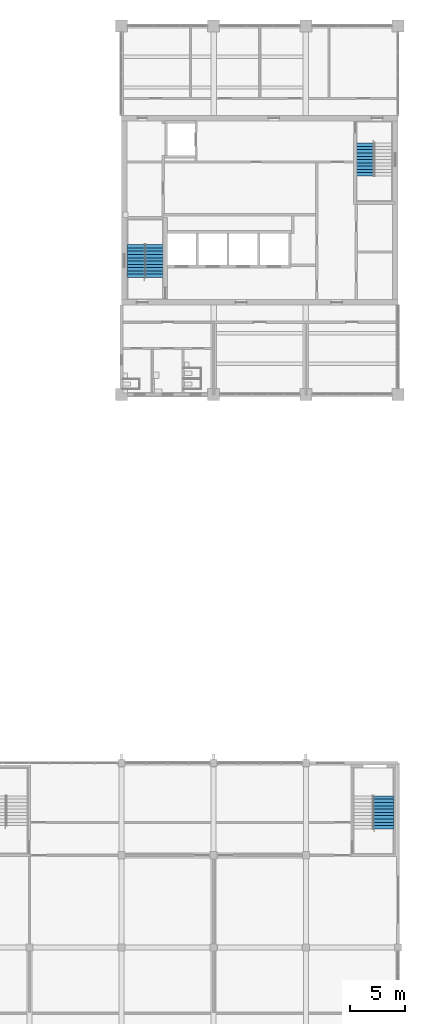
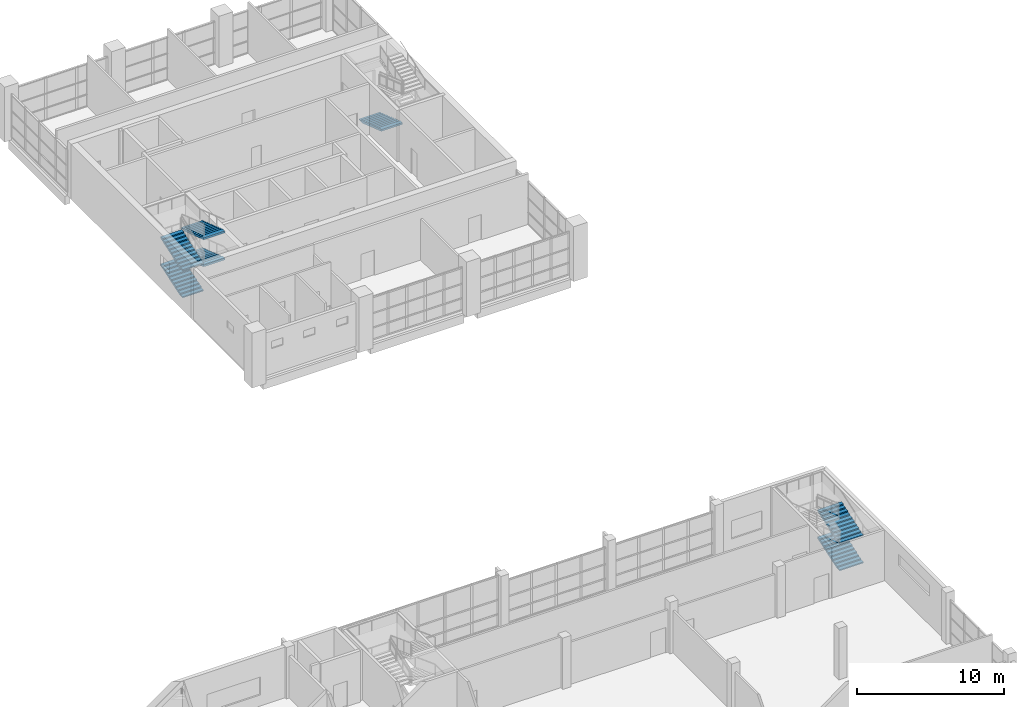
# One storey, part 49 of 64: 7 stair flights, 3 elements without a shape of their own.
"""IFC4 building model written with IfcOpenShell, lengths in metres."""

from ifc_helpers import new_model, si_unit, direction, frame, origin, place, context, subcontext, project, spatial, faceted_brep, material, type_object, element, aggregate, save


model = new_model("IFC4")

# Units and contexts
model_context = context("Model", 3, precision=1e-05, world=origin(), true_north=direction((0.0, 1.0)))
body_context = subcontext(model_context, "Body", "Model", "MODEL_VIEW")
ifc_project = project(units=[si_unit("LENGTHUNIT", "METRE"), si_unit("AREAUNIT", "SQUARE_METRE"), si_unit("VOLUMEUNIT", "CUBIC_METRE"), si_unit("PLANEANGLEUNIT", "RADIAN"), si_unit("MASSUNIT", "GRAM", prefix="KILO")], contexts=[model_context])

# Site, building, storey
site_placement = place(None, origin())
site = spatial("IfcSite", under=ifc_project, at=site_placement, CompositionType="ELEMENT")
building_placement = place(site_placement, origin())
building = spatial("IfcBuilding", under=site, at=building_placement, Name="Rulbaag Community and Learning Centre", CompositionType="ELEMENT")
storey_placement = place(building_placement, frame((0.0, 0.0, 5.39990234375)))
storey = spatial("IfcBuildingStorey", under=building, at=storey_placement, Name="L01", CompositionType="ELEMENT", Elevation=5.39990234375)

# Stair, stair flights
ifc_material = material(Name="Concrete M40", Category="concrete")
stair_type_1 = type_object("IfcStairType", Name="ST-1650 STAIR 1650 WIDE", PredefinedType="HALF_TURN_STAIR", material=ifc_material)
stair_1_placement = place(storey_placement, origin())
stair_1 = element("IfcStair", 1, at=stair_1_placement, inside=storey, type_object=stair_type_1, Name="Stair ST1 L01", PredefinedType="HALF_TURN_STAIR")
stair_flight_type_1 = type_object("IfcStairFlightType", Name="FL-1650 FLIGHT 1650 WIDE Concrete M40", PredefinedType="STRAIGHT", material=ifc_material)
stair_flight_1_placement = place(storey_placement, frame((144.125, 94.675048828125, 0.0), z_axis=(0.0, 0.0, 1.0), x_axis=(0.0, 1.0, 0.0)))
stair_flight_1 = element("IfcStairFlight", 2, at=stair_flight_1_placement, type_object=stair_flight_type_1, Name="ST1 flight 1", NumberOfRisers=11, NumberOfTreads=10, PredefinedType="STRAIGHT", RiserHeight=0.102272727, TreadLength=0.3, context=body_context, shape_type="Brep", body=[
    faceted_brep([(0.43359375, -0.824951171875, 0.0), (3.0, -0.824951171875, 0.875), (3.0, -0.824951171875, 1.022705078125), (2.699951171875, -0.824951171875, 1.022705078125), (2.699951171875, -0.824951171875, 0.92041015625), (2.39990234375, -0.824951171875, 0.92041015625), (2.39990234375, -0.824951171875, 0.818115234375), (2.10009765625, -0.824951171875, 0.818115234375), (2.10009765625, -0.824951171875, 0.7158203125), (1.800048828125, -0.824951171875, 0.7158203125), (1.800048828125, -0.824951171875, 0.613525390625), (1.5, -0.824951171875, 0.613525390625), (1.5, -0.824951171875, 0.511474609375), (1.199951171875, -0.824951171875, 0.511474609375), (1.199951171875, -0.824951171875, 0.4091796875), (0.89990234375, -0.824951171875, 0.4091796875), (0.89990234375, -0.824951171875, 0.306884765625), (0.60009765625, -0.824951171875, 0.306884765625), (0.60009765625, -0.824951171875, 0.20458984375), (0.300048828125, -0.824951171875, 0.20458984375), (0.300048828125, -0.824951171875, 0.102294921875), (0.0, -0.824951171875, 0.102294921875), (0.0, -0.824951171875, 0.0), (0.0, 0.824951171875, 0.0), (0.0, 0.824951171875, 0.102294921875), (0.300048828125, 0.824951171875, 0.102294921875), (0.300048828125, 0.824951171875, 0.20458984375), (0.60009765625, 0.824951171875, 0.20458984375), (0.60009765625, 0.824951171875, 0.306884765625), (0.89990234375, 0.824951171875, 0.306884765625), (0.89990234375, 0.824951171875, 0.4091796875), (1.199951171875, 0.824951171875, 0.4091796875), (1.199951171875, 0.824951171875, 0.511474609375), (1.5, 0.824951171875, 0.511474609375), (1.5, 0.824951171875, 0.613525390625), (1.800048828125, 0.824951171875, 0.613525390625), (1.800048828125, 0.824951171875, 0.7158203125), (2.10009765625, 0.824951171875, 0.7158203125), (2.10009765625, 0.824951171875, 0.818115234375), (2.39990234375, 0.824951171875, 0.818115234375), (2.39990234375, 0.824951171875, 0.92041015625), (2.699951171875, 0.824951171875, 0.92041015625), (2.699951171875, 0.824951171875, 1.022705078125), (3.0, 0.824951171875, 1.022705078125), (3.0, 0.824951171875, 0.875), (0.43359375, 0.824951171875, 0.0), (0.0, 0.0, 0.102294921875), (0.0, 0.0, 0.0), (0.300048828125, 0.0, 0.102294921875), (0.300048828125, 0.0, 0.20458984375), (0.60009765625, 0.0, 0.20458984375), (0.60009765625, 0.0, 0.306884765625), (0.89990234375, 0.0, 0.306884765625), (0.89990234375, 0.0, 0.4091796875), (1.199951171875, 0.0, 0.4091796875), (1.199951171875, 0.0, 0.511474609375), (1.5, 0.0, 0.511474609375), (1.5, 0.0, 0.613525390625), (1.800048828125, 0.0, 0.613525390625), (1.800048828125, 0.0, 0.7158203125), (2.10009765625, 0.0, 0.7158203125), (2.10009765625, 0.0, 0.818115234375), (2.39990234375, 0.0, 0.818115234375), (2.39990234375, 0.0, 0.92041015625), (2.699951171875, 0.0, 0.92041015625), (2.699951171875, 0.0, 1.022705078125), (3.0, 0.0, 1.022705078125), (3.0, 0.0, 0.875), (0.43359375, 0.0, 0.0)], [[[0, 1, 2, 3, 4, 5, 6, 7, 8, 9, 10, 11, 12, 13, 14, 15, 16, 17, 18, 19, 20, 21, 22]], [[23, 24, 25, 26, 27, 28, 29, 30, 31, 32, 33, 34, 35, 36, 37, 38, 39, 40, 41, 42, 43, 44, 45]], [[22, 21, 46, 47]], [[47, 46, 24, 23]], [[21, 20, 48, 46]], [[46, 48, 25, 24]], [[20, 19, 49, 48]], [[48, 49, 26, 25]], [[19, 18, 50, 49]], [[49, 50, 27, 26]], [[18, 17, 51, 50]], [[50, 51, 28, 27]], [[17, 16, 52, 51]], [[51, 52, 29, 28]], [[16, 15, 53, 52]], [[52, 53, 30, 29]], [[15, 14, 54, 53]], [[53, 54, 31, 30]], [[14, 13, 55, 54]], [[54, 55, 32, 31]], [[13, 12, 56, 55]], [[55, 56, 33, 32]], [[12, 11, 57, 56]], [[56, 57, 34, 33]], [[11, 10, 58, 57]], [[57, 58, 35, 34]], [[10, 9, 59, 58]], [[58, 59, 36, 35]], [[9, 8, 60, 59]], [[59, 60, 37, 36]], [[8, 7, 61, 60]], [[60, 61, 38, 37]], [[7, 6, 62, 61]], [[61, 62, 39, 38]], [[6, 5, 63, 62]], [[62, 63, 40, 39]], [[5, 4, 64, 63]], [[63, 64, 41, 40]], [[4, 3, 65, 64]], [[64, 65, 42, 41]], [[3, 2, 66, 65]], [[65, 66, 43, 42]], [[2, 1, 67, 66]], [[66, 67, 44, 43]], [[1, 0, 68, 67]], [[67, 68, 45, 44]], [[0, 22, 47, 68]], [[68, 47, 23, 45]]]),
])
stair_flight_2_placement = place(storey_placement, frame((145.77490234375, 97.675048828125, 1.125), z_axis=(0.0, 0.0, 1.0), x_axis=(0.0, -1.0, 0.0)))
stair_flight_2 = element("IfcStairFlight", 3, at=stair_flight_2_placement, type_object=stair_flight_type_1, Name="ST1 flight 2", NumberOfRisers=11, NumberOfTreads=10, PredefinedType="STRAIGHT", RiserHeight=0.102272727, TreadLength=0.3, context=body_context, shape_type="Brep", body=[
    faceted_brep([(0.43359375, -0.824951171875, 0.0), (3.0, -0.824951171875, 0.875), (3.0, -0.824951171875, 1.022705078125), (2.699951171875, -0.824951171875, 1.022705078125), (2.699951171875, -0.824951171875, 0.92041015625), (2.39990234375, -0.824951171875, 0.92041015625), (2.39990234375, -0.824951171875, 0.818115234375), (2.10009765625, -0.824951171875, 0.818115234375), (2.10009765625, -0.824951171875, 0.7158203125), (1.800048828125, -0.824951171875, 0.7158203125), (1.800048828125, -0.824951171875, 0.613525390625), (1.5, -0.824951171875, 0.613525390625), (1.5, -0.824951171875, 0.511474609375), (1.199951171875, -0.824951171875, 0.511474609375), (1.199951171875, -0.824951171875, 0.4091796875), (0.89990234375, -0.824951171875, 0.4091796875), (0.89990234375, -0.824951171875, 0.306884765625), (0.60009765625, -0.824951171875, 0.306884765625), (0.60009765625, -0.824951171875, 0.20458984375), (0.300048828125, -0.824951171875, 0.20458984375), (0.300048828125, -0.824951171875, 0.102294921875), (0.0, -0.824951171875, 0.102294921875), (0.0, -0.824951171875, 0.0), (0.0, 0.824951171875, 0.0), (0.0, 0.824951171875, 0.102294921875), (0.300048828125, 0.824951171875, 0.102294921875), (0.300048828125, 0.824951171875, 0.20458984375), (0.60009765625, 0.824951171875, 0.20458984375), (0.60009765625, 0.824951171875, 0.306884765625), (0.89990234375, 0.824951171875, 0.306884765625), (0.89990234375, 0.824951171875, 0.4091796875), (1.199951171875, 0.824951171875, 0.4091796875), (1.199951171875, 0.824951171875, 0.511474609375), (1.5, 0.824951171875, 0.511474609375), (1.5, 0.824951171875, 0.613525390625), (1.800048828125, 0.824951171875, 0.613525390625), (1.800048828125, 0.824951171875, 0.7158203125), (2.10009765625, 0.824951171875, 0.7158203125), (2.10009765625, 0.824951171875, 0.818115234375), (2.39990234375, 0.824951171875, 0.818115234375), (2.39990234375, 0.824951171875, 0.92041015625), (2.699951171875, 0.824951171875, 0.92041015625), (2.699951171875, 0.824951171875, 1.022705078125), (3.0, 0.824951171875, 1.022705078125), (3.0, 0.824951171875, 0.875), (0.43359375, 0.824951171875, 0.0), (0.0, 0.0, 0.102294921875), (0.0, 0.0, 0.0), (0.300048828125, 0.0, 0.102294921875), (0.300048828125, 0.0, 0.20458984375), (0.60009765625, 0.0, 0.20458984375), (0.60009765625, 0.0, 0.306884765625), (0.89990234375, 0.0, 0.306884765625), (0.89990234375, 0.0, 0.4091796875), (1.199951171875, 0.0, 0.4091796875), (1.199951171875, 0.0, 0.511474609375), (1.5, 0.0, 0.511474609375), (1.5, 0.0, 0.613525390625), (1.800048828125, 0.0, 0.613525390625), (1.800048828125, 0.0, 0.7158203125), (2.10009765625, 0.0, 0.7158203125), (2.10009765625, 0.0, 0.818115234375), (2.39990234375, 0.0, 0.818115234375), (2.39990234375, 0.0, 0.92041015625), (2.699951171875, 0.0, 0.92041015625), (2.699951171875, 0.0, 1.022705078125), (3.0, 0.0, 1.022705078125), (3.0, 0.0, 0.875), (0.43359375, 0.0, 0.0)], [[[0, 1, 2, 3, 4, 5, 6, 7, 8, 9, 10, 11, 12, 13, 14, 15, 16, 17, 18, 19, 20, 21, 22]], [[23, 24, 25, 26, 27, 28, 29, 30, 31, 32, 33, 34, 35, 36, 37, 38, 39, 40, 41, 42, 43, 44, 45]], [[22, 21, 46, 47]], [[47, 46, 24, 23]], [[21, 20, 48, 46]], [[46, 48, 25, 24]], [[20, 19, 49, 48]], [[48, 49, 26, 25]], [[19, 18, 50, 49]], [[49, 50, 27, 26]], [[18, 17, 51, 50]], [[50, 51, 28, 27]], [[17, 16, 52, 51]], [[51, 52, 29, 28]], [[16, 15, 53, 52]], [[52, 53, 30, 29]], [[15, 14, 54, 53]], [[53, 54, 31, 30]], [[14, 13, 55, 54]], [[54, 55, 32, 31]], [[13, 12, 56, 55]], [[55, 56, 33, 32]], [[12, 11, 57, 56]], [[56, 57, 34, 33]], [[11, 10, 58, 57]], [[57, 58, 35, 34]], [[10, 9, 59, 58]], [[58, 59, 36, 35]], [[9, 8, 60, 59]], [[59, 60, 37, 36]], [[8, 7, 61, 60]], [[60, 61, 38, 37]], [[7, 6, 62, 61]], [[61, 62, 39, 38]], [[6, 5, 63, 62]], [[62, 63, 40, 39]], [[5, 4, 64, 63]], [[63, 64, 41, 40]], [[4, 3, 65, 64]], [[64, 65, 42, 41]], [[3, 2, 66, 65]], [[65, 66, 43, 42]], [[2, 1, 67, 66]], [[66, 67, 44, 43]], [[1, 0, 68, 67]], [[67, 68, 45, 44]], [[0, 22, 47, 68]], [[68, 47, 23, 45]]]),
])
stair_flight_3_placement = place(storey_placement, frame((144.125, 94.675048828125, 2.25), z_axis=(0.0, 0.0, 1.0), x_axis=(0.0, 1.0, 0.0)))
stair_flight_3 = element("IfcStairFlight", 4, at=stair_flight_3_placement, type_object=stair_flight_type_1, Name="ST1 flight 3", NumberOfRisers=11, NumberOfTreads=10, PredefinedType="STRAIGHT", RiserHeight=0.102272727, TreadLength=0.3, context=body_context, shape_type="Brep", body=[
    faceted_brep([(0.43359375, -0.824951171875, 0.0), (3.0, -0.824951171875, 0.875), (3.0, -0.824951171875, 1.022705078125), (2.699951171875, -0.824951171875, 1.022705078125), (2.699951171875, -0.824951171875, 0.92041015625), (2.39990234375, -0.824951171875, 0.92041015625), (2.39990234375, -0.824951171875, 0.818115234375), (2.10009765625, -0.824951171875, 0.818115234375), (2.10009765625, -0.824951171875, 0.7158203125), (1.800048828125, -0.824951171875, 0.7158203125), (1.800048828125, -0.824951171875, 0.613525390625), (1.5, -0.824951171875, 0.613525390625), (1.5, -0.824951171875, 0.511474609375), (1.199951171875, -0.824951171875, 0.511474609375), (1.199951171875, -0.824951171875, 0.4091796875), (0.89990234375, -0.824951171875, 0.4091796875), (0.89990234375, -0.824951171875, 0.306884765625), (0.60009765625, -0.824951171875, 0.306884765625), (0.60009765625, -0.824951171875, 0.20458984375), (0.300048828125, -0.824951171875, 0.20458984375), (0.300048828125, -0.824951171875, 0.102294921875), (0.0, -0.824951171875, 0.102294921875), (0.0, -0.824951171875, 0.0), (0.0, 0.824951171875, 0.0), (0.0, 0.824951171875, 0.102294921875), (0.300048828125, 0.824951171875, 0.102294921875), (0.300048828125, 0.824951171875, 0.20458984375), (0.60009765625, 0.824951171875, 0.20458984375), (0.60009765625, 0.824951171875, 0.306884765625), (0.89990234375, 0.824951171875, 0.306884765625), (0.89990234375, 0.824951171875, 0.4091796875), (1.199951171875, 0.824951171875, 0.4091796875), (1.199951171875, 0.824951171875, 0.511474609375), (1.5, 0.824951171875, 0.511474609375), (1.5, 0.824951171875, 0.613525390625), (1.800048828125, 0.824951171875, 0.613525390625), (1.800048828125, 0.824951171875, 0.7158203125), (2.10009765625, 0.824951171875, 0.7158203125), (2.10009765625, 0.824951171875, 0.818115234375), (2.39990234375, 0.824951171875, 0.818115234375), (2.39990234375, 0.824951171875, 0.92041015625), (2.699951171875, 0.824951171875, 0.92041015625), (2.699951171875, 0.824951171875, 1.022705078125), (3.0, 0.824951171875, 1.022705078125), (3.0, 0.824951171875, 0.875), (0.43359375, 0.824951171875, 0.0), (0.0, 0.0, 0.102294921875), (0.0, 0.0, 0.0), (0.300048828125, 0.0, 0.102294921875), (0.300048828125, 0.0, 0.20458984375), (0.60009765625, 0.0, 0.20458984375), (0.60009765625, 0.0, 0.306884765625), (0.89990234375, 0.0, 0.306884765625), (0.89990234375, 0.0, 0.4091796875), (1.199951171875, 0.0, 0.4091796875), (1.199951171875, 0.0, 0.511474609375), (1.5, 0.0, 0.511474609375), (1.5, 0.0, 0.613525390625), (1.800048828125, 0.0, 0.613525390625), (1.800048828125, 0.0, 0.7158203125), (2.10009765625, 0.0, 0.7158203125), (2.10009765625, 0.0, 0.818115234375), (2.39990234375, 0.0, 0.818115234375), (2.39990234375, 0.0, 0.92041015625), (2.699951171875, 0.0, 0.92041015625), (2.699951171875, 0.0, 1.022705078125), (3.0, 0.0, 1.022705078125), (3.0, 0.0, 0.875), (0.43359375, 0.0, 0.0)], [[[0, 1, 2, 3, 4, 5, 6, 7, 8, 9, 10, 11, 12, 13, 14, 15, 16, 17, 18, 19, 20, 21, 22]], [[23, 24, 25, 26, 27, 28, 29, 30, 31, 32, 33, 34, 35, 36, 37, 38, 39, 40, 41, 42, 43, 44, 45]], [[22, 21, 46, 47]], [[47, 46, 24, 23]], [[21, 20, 48, 46]], [[46, 48, 25, 24]], [[20, 19, 49, 48]], [[48, 49, 26, 25]], [[19, 18, 50, 49]], [[49, 50, 27, 26]], [[18, 17, 51, 50]], [[50, 51, 28, 27]], [[17, 16, 52, 51]], [[51, 52, 29, 28]], [[16, 15, 53, 52]], [[52, 53, 30, 29]], [[15, 14, 54, 53]], [[53, 54, 31, 30]], [[14, 13, 55, 54]], [[54, 55, 32, 31]], [[13, 12, 56, 55]], [[55, 56, 33, 32]], [[12, 11, 57, 56]], [[56, 57, 34, 33]], [[11, 10, 58, 57]], [[57, 58, 35, 34]], [[10, 9, 59, 58]], [[58, 59, 36, 35]], [[9, 8, 60, 59]], [[59, 60, 37, 36]], [[8, 7, 61, 60]], [[60, 61, 38, 37]], [[7, 6, 62, 61]], [[61, 62, 39, 38]], [[6, 5, 63, 62]], [[62, 63, 40, 39]], [[5, 4, 64, 63]], [[63, 64, 41, 40]], [[4, 3, 65, 64]], [[64, 65, 42, 41]], [[3, 2, 66, 65]], [[65, 66, 43, 42]], [[2, 1, 67, 66]], [[66, 67, 44, 43]], [[1, 0, 68, 67]], [[67, 68, 45, 44]], [[0, 22, 47, 68]], [[68, 47, 23, 45]]]),
])
stair_flight_4_placement = place(storey_placement, frame((145.77490234375, 97.675048828125, 3.375), z_axis=(0.0, 0.0, 1.0), x_axis=(0.0, -1.0, 0.0)))
stair_flight_4 = element("IfcStairFlight", 5, at=stair_flight_4_placement, type_object=stair_flight_type_1, Name="ST1 flight 4", NumberOfRisers=11, NumberOfTreads=10, PredefinedType="STRAIGHT", RiserHeight=0.102272727, TreadLength=0.3, context=body_context, shape_type="Brep", body=[
    faceted_brep([(0.43359375, -0.824951171875, 0.0), (3.0, -0.824951171875, 0.875), (3.0, -0.824951171875, 1.022705078125), (2.699951171875, -0.824951171875, 1.022705078125), (2.699951171875, -0.824951171875, 0.92041015625), (2.39990234375, -0.824951171875, 0.92041015625), (2.39990234375, -0.824951171875, 0.818115234375), (2.10009765625, -0.824951171875, 0.818115234375), (2.10009765625, -0.824951171875, 0.7158203125), (1.800048828125, -0.824951171875, 0.7158203125), (1.800048828125, -0.824951171875, 0.613525390625), (1.5, -0.824951171875, 0.613525390625), (1.5, -0.824951171875, 0.511474609375), (1.199951171875, -0.824951171875, 0.511474609375), (1.199951171875, -0.824951171875, 0.4091796875), (0.89990234375, -0.824951171875, 0.4091796875), (0.89990234375, -0.824951171875, 0.306884765625), (0.60009765625, -0.824951171875, 0.306884765625), (0.60009765625, -0.824951171875, 0.20458984375), (0.300048828125, -0.824951171875, 0.20458984375), (0.300048828125, -0.824951171875, 0.102294921875), (0.0, -0.824951171875, 0.102294921875), (0.0, -0.824951171875, 0.0), (0.0, 0.824951171875, 0.0), (0.0, 0.824951171875, 0.102294921875), (0.300048828125, 0.824951171875, 0.102294921875), (0.300048828125, 0.824951171875, 0.20458984375), (0.60009765625, 0.824951171875, 0.20458984375), (0.60009765625, 0.824951171875, 0.306884765625), (0.89990234375, 0.824951171875, 0.306884765625), (0.89990234375, 0.824951171875, 0.4091796875), (1.199951171875, 0.824951171875, 0.4091796875), (1.199951171875, 0.824951171875, 0.511474609375), (1.5, 0.824951171875, 0.511474609375), (1.5, 0.824951171875, 0.613525390625), (1.800048828125, 0.824951171875, 0.613525390625), (1.800048828125, 0.824951171875, 0.7158203125), (2.10009765625, 0.824951171875, 0.7158203125), (2.10009765625, 0.824951171875, 0.818115234375), (2.39990234375, 0.824951171875, 0.818115234375), (2.39990234375, 0.824951171875, 0.92041015625), (2.699951171875, 0.824951171875, 0.92041015625), (2.699951171875, 0.824951171875, 1.022705078125), (3.0, 0.824951171875, 1.022705078125), (3.0, 0.824951171875, 0.875), (0.43359375, 0.824951171875, 0.0), (0.0, 0.0, 0.102294921875), (0.0, 0.0, 0.0), (0.300048828125, 0.0, 0.102294921875), (0.300048828125, 0.0, 0.20458984375), (0.60009765625, 0.0, 0.20458984375), (0.60009765625, 0.0, 0.306884765625), (0.89990234375, 0.0, 0.306884765625), (0.89990234375, 0.0, 0.4091796875), (1.199951171875, 0.0, 0.4091796875), (1.199951171875, 0.0, 0.511474609375), (1.5, 0.0, 0.511474609375), (1.5, 0.0, 0.613525390625), (1.800048828125, 0.0, 0.613525390625), (1.800048828125, 0.0, 0.7158203125), (2.10009765625, 0.0, 0.7158203125), (2.10009765625, 0.0, 0.818115234375), (2.39990234375, 0.0, 0.818115234375), (2.39990234375, 0.0, 0.92041015625), (2.699951171875, 0.0, 0.92041015625), (2.699951171875, 0.0, 1.022705078125), (3.0, 0.0, 1.022705078125), (3.0, 0.0, 0.875), (0.43359375, 0.0, 0.0)], [[[0, 1, 2, 3, 4, 5, 6, 7, 8, 9, 10, 11, 12, 13, 14, 15, 16, 17, 18, 19, 20, 21, 22]], [[23, 24, 25, 26, 27, 28, 29, 30, 31, 32, 33, 34, 35, 36, 37, 38, 39, 40, 41, 42, 43, 44, 45]], [[22, 21, 46, 47]], [[47, 46, 24, 23]], [[21, 20, 48, 46]], [[46, 48, 25, 24]], [[20, 19, 49, 48]], [[48, 49, 26, 25]], [[19, 18, 50, 49]], [[49, 50, 27, 26]], [[18, 17, 51, 50]], [[50, 51, 28, 27]], [[17, 16, 52, 51]], [[51, 52, 29, 28]], [[16, 15, 53, 52]], [[52, 53, 30, 29]], [[15, 14, 54, 53]], [[53, 54, 31, 30]], [[14, 13, 55, 54]], [[54, 55, 32, 31]], [[13, 12, 56, 55]], [[55, 56, 33, 32]], [[12, 11, 57, 56]], [[56, 57, 34, 33]], [[11, 10, 58, 57]], [[57, 58, 35, 34]], [[10, 9, 59, 58]], [[58, 59, 36, 35]], [[9, 8, 60, 59]], [[59, 60, 37, 36]], [[8, 7, 61, 60]], [[60, 61, 38, 37]], [[7, 6, 62, 61]], [[61, 62, 39, 38]], [[6, 5, 63, 62]], [[62, 63, 40, 39]], [[5, 4, 64, 63]], [[63, 64, 41, 40]], [[4, 3, 65, 64]], [[64, 65, 42, 41]], [[3, 2, 66, 65]], [[65, 66, 43, 42]], [[2, 1, 67, 66]], [[66, 67, 44, 43]], [[1, 0, 68, 67]], [[67, 68, 45, 44]], [[0, 22, 47, 68]], [[68, 47, 23, 45]]]),
])
aggregate(stair_1, [stair_flight_1, stair_flight_2, stair_flight_3, stair_flight_4])

# Stair, stair flight
stair_2_placement = place(storey_placement, origin())
stair_2 = element("IfcStair", 6, at=stair_2_placement, inside=storey, type_object=stair_type_1, Name="Stair ST2 L01", PredefinedType="HALF_TURN_STAIR")
stair_flight_5_placement = place(storey_placement, frame((165.02490234375, 106.925048828125, 0.0), z_axis=(0.0, 0.0, 1.0), x_axis=(0.0, -1.0, 0.0)))
stair_flight_5 = element("IfcStairFlight", 7, at=stair_flight_5_placement, type_object=stair_flight_type_1, Name="ST2 flight 1", NumberOfRisers=11, NumberOfTreads=10, PredefinedType="STRAIGHT", RiserHeight=0.102272727, TreadLength=0.3, context=body_context, shape_type="Brep", body=[
    faceted_brep([(0.43359375, -0.824951171875, 0.0), (3.0, -0.824951171875, 0.875), (3.0, -0.824951171875, 1.022705078125), (2.699951171875, -0.824951171875, 1.022705078125), (2.699951171875, -0.824951171875, 0.92041015625), (2.39990234375, -0.824951171875, 0.92041015625), (2.39990234375, -0.824951171875, 0.818115234375), (2.10009765625, -0.824951171875, 0.818115234375), (2.10009765625, -0.824951171875, 0.7158203125), (1.800048828125, -0.824951171875, 0.7158203125), (1.800048828125, -0.824951171875, 0.613525390625), (1.5, -0.824951171875, 0.613525390625), (1.5, -0.824951171875, 0.511474609375), (1.199951171875, -0.824951171875, 0.511474609375), (1.199951171875, -0.824951171875, 0.4091796875), (0.89990234375, -0.824951171875, 0.4091796875), (0.89990234375, -0.824951171875, 0.306884765625), (0.60009765625, -0.824951171875, 0.306884765625), (0.60009765625, -0.824951171875, 0.20458984375), (0.300048828125, -0.824951171875, 0.20458984375), (0.300048828125, -0.824951171875, 0.102294921875), (0.0, -0.824951171875, 0.102294921875), (0.0, -0.824951171875, 0.0), (0.0, 0.824951171875, 0.0), (0.0, 0.824951171875, 0.102294921875), (0.300048828125, 0.824951171875, 0.102294921875), (0.300048828125, 0.824951171875, 0.20458984375), (0.60009765625, 0.824951171875, 0.20458984375), (0.60009765625, 0.824951171875, 0.306884765625), (0.89990234375, 0.824951171875, 0.306884765625), (0.89990234375, 0.824951171875, 0.4091796875), (1.199951171875, 0.824951171875, 0.4091796875), (1.199951171875, 0.824951171875, 0.511474609375), (1.5, 0.824951171875, 0.511474609375), (1.5, 0.824951171875, 0.613525390625), (1.800048828125, 0.824951171875, 0.613525390625), (1.800048828125, 0.824951171875, 0.7158203125), (2.10009765625, 0.824951171875, 0.7158203125), (2.10009765625, 0.824951171875, 0.818115234375), (2.39990234375, 0.824951171875, 0.818115234375), (2.39990234375, 0.824951171875, 0.92041015625), (2.699951171875, 0.824951171875, 0.92041015625), (2.699951171875, 0.824951171875, 1.022705078125), (3.0, 0.824951171875, 1.022705078125), (3.0, 0.824951171875, 0.875), (0.43359375, 0.824951171875, 0.0), (0.0, 0.0, 0.102294921875), (0.0, 0.0, 0.0), (0.300048828125, 0.0, 0.102294921875), (0.300048828125, 0.0, 0.20458984375), (0.60009765625, 0.0, 0.20458984375), (0.60009765625, 0.0, 0.306884765625), (0.89990234375, 0.0, 0.306884765625), (0.89990234375, 0.0, 0.4091796875), (1.199951171875, 0.0, 0.4091796875), (1.199951171875, 0.0, 0.511474609375), (1.5, 0.0, 0.511474609375), (1.5, 0.0, 0.613525390625), (1.800048828125, 0.0, 0.613525390625), (1.800048828125, 0.0, 0.7158203125), (2.10009765625, 0.0, 0.7158203125), (2.10009765625, 0.0, 0.818115234375), (2.39990234375, 0.0, 0.818115234375), (2.39990234375, 0.0, 0.92041015625), (2.699951171875, 0.0, 0.92041015625), (2.699951171875, 0.0, 1.022705078125), (3.0, 0.0, 1.022705078125), (3.0, 0.0, 0.875), (0.43359375, 0.0, 0.0)], [[[0, 1, 2, 3, 4, 5, 6, 7, 8, 9, 10, 11, 12, 13, 14, 15, 16, 17, 18, 19, 20, 21, 22]], [[23, 24, 25, 26, 27, 28, 29, 30, 31, 32, 33, 34, 35, 36, 37, 38, 39, 40, 41, 42, 43, 44, 45]], [[22, 21, 46, 47]], [[47, 46, 24, 23]], [[21, 20, 48, 46]], [[46, 48, 25, 24]], [[20, 19, 49, 48]], [[48, 49, 26, 25]], [[19, 18, 50, 49]], [[49, 50, 27, 26]], [[18, 17, 51, 50]], [[50, 51, 28, 27]], [[17, 16, 52, 51]], [[51, 52, 29, 28]], [[16, 15, 53, 52]], [[52, 53, 30, 29]], [[15, 14, 54, 53]], [[53, 54, 31, 30]], [[14, 13, 55, 54]], [[54, 55, 32, 31]], [[13, 12, 56, 55]], [[55, 56, 33, 32]], [[12, 11, 57, 56]], [[56, 57, 34, 33]], [[11, 10, 58, 57]], [[57, 58, 35, 34]], [[10, 9, 59, 58]], [[58, 59, 36, 35]], [[9, 8, 60, 59]], [[59, 60, 37, 36]], [[8, 7, 61, 60]], [[60, 61, 38, 37]], [[7, 6, 62, 61]], [[61, 62, 39, 38]], [[6, 5, 63, 62]], [[62, 63, 40, 39]], [[5, 4, 64, 63]], [[63, 64, 41, 40]], [[4, 3, 65, 64]], [[64, 65, 42, 41]], [[3, 2, 66, 65]], [[65, 66, 43, 42]], [[2, 1, 67, 66]], [[66, 67, 44, 43]], [[1, 0, 68, 67]], [[67, 68, 45, 44]], [[0, 22, 47, 68]], [[68, 47, 23, 45]]]),
])
aggregate(stair_2, [stair_flight_5])

# Stair, stair flights
stair_type_2 = type_object("IfcStairType", Name="ST-1862 STAIR 1862 WIDE", PredefinedType="HALF_TURN_STAIR", material=ifc_material)
stair_3_placement = place(storey_placement, origin())
stair_3 = element("IfcStair", 8, at=stair_3_placement, inside=storey, type_object=stair_type_2, Name="Stair ST-H4 L01", PredefinedType="HALF_TURN_STAIR")
stair_flight_type_2 = type_object("IfcStairFlightType", Name="FL-1862 FLIGHT 1862 WIDE Concrete M40", PredefinedType="STRAIGHT", material=ifc_material)
stair_flight_6_placement = place(storey_placement, frame((166.693603515625, 44.41259765625, 0.0), z_axis=(0.0, 0.0, 1.0), x_axis=(0.0, 1.0, 0.0)))
stair_flight_6 = element("IfcStairFlight", 9, at=stair_flight_6_placement, type_object=stair_flight_type_2, Name="ST-H4 flight 1", NumberOfRisers=11, NumberOfTreads=10, PredefinedType="STRAIGHT", RiserHeight=0.102272727, TreadLength=0.3, context=body_context, shape_type="Brep", body=[
    faceted_brep([(0.43359375, -0.93115234375, 0.0), (3.0, -0.93115234375, 0.875), (3.0, -0.93115234375, 1.022705078125), (2.699951171875, -0.93115234375, 1.022705078125), (2.699951171875, -0.93115234375, 0.92041015625), (2.39990234375, -0.93115234375, 0.92041015625), (2.39990234375, -0.93115234375, 0.818115234375), (2.10009765625, -0.93115234375, 0.818115234375), (2.10009765625, -0.93115234375, 0.7158203125), (1.800048828125, -0.93115234375, 0.7158203125), (1.800048828125, -0.93115234375, 0.613525390625), (1.5, -0.93115234375, 0.613525390625), (1.5, -0.93115234375, 0.511474609375), (1.199951171875, -0.93115234375, 0.511474609375), (1.199951171875, -0.93115234375, 0.4091796875), (0.89990234375, -0.93115234375, 0.4091796875), (0.89990234375, -0.93115234375, 0.306884765625), (0.60009765625, -0.93115234375, 0.306884765625), (0.60009765625, -0.93115234375, 0.20458984375), (0.300048828125, -0.93115234375, 0.20458984375), (0.300048828125, -0.93115234375, 0.102294921875), (0.0, -0.93115234375, 0.102294921875), (0.0, -0.93115234375, 0.0), (0.0, 0.93115234375, 0.0), (0.0, 0.93115234375, 0.102294921875), (0.300048828125, 0.93115234375, 0.102294921875), (0.300048828125, 0.93115234375, 0.20458984375), (0.60009765625, 0.93115234375, 0.20458984375), (0.60009765625, 0.93115234375, 0.306884765625), (0.89990234375, 0.93115234375, 0.306884765625), (0.89990234375, 0.93115234375, 0.4091796875), (1.199951171875, 0.93115234375, 0.4091796875), (1.199951171875, 0.93115234375, 0.511474609375), (1.5, 0.93115234375, 0.511474609375), (1.5, 0.93115234375, 0.613525390625), (1.800048828125, 0.93115234375, 0.613525390625), (1.800048828125, 0.93115234375, 0.7158203125), (2.10009765625, 0.93115234375, 0.7158203125), (2.10009765625, 0.93115234375, 0.818115234375), (2.39990234375, 0.93115234375, 0.818115234375), (2.39990234375, 0.93115234375, 0.92041015625), (2.699951171875, 0.93115234375, 0.92041015625), (2.699951171875, 0.93115234375, 1.022705078125), (3.0, 0.93115234375, 1.022705078125), (3.0, 0.93115234375, 0.875), (0.43359375, 0.93115234375, 0.0), (0.0, 0.0, 0.102294921875), (0.0, 0.0, 0.0), (0.300048828125, 0.0, 0.102294921875), (0.300048828125, 0.0, 0.20458984375), (0.60009765625, 0.0, 0.20458984375), (0.60009765625, 0.0, 0.306884765625), (0.89990234375, 0.0, 0.306884765625), (0.89990234375, 0.0, 0.4091796875), (1.199951171875, 0.0, 0.4091796875), (1.199951171875, 0.0, 0.511474609375), (1.5, 0.0, 0.511474609375), (1.5, 0.0, 0.613525390625), (1.800048828125, 0.0, 0.613525390625), (1.800048828125, 0.0, 0.7158203125), (2.10009765625, 0.0, 0.7158203125), (2.10009765625, 0.0, 0.818115234375), (2.39990234375, 0.0, 0.818115234375), (2.39990234375, 0.0, 0.92041015625), (2.699951171875, 0.0, 0.92041015625), (2.699951171875, 0.0, 1.022705078125), (3.0, 0.0, 1.022705078125), (3.0, 0.0, 0.875), (0.43359375, 0.0, 0.0)], [[[0, 1, 2, 3, 4, 5, 6, 7, 8, 9, 10, 11, 12, 13, 14, 15, 16, 17, 18, 19, 20, 21, 22]], [[23, 24, 25, 26, 27, 28, 29, 30, 31, 32, 33, 34, 35, 36, 37, 38, 39, 40, 41, 42, 43, 44, 45]], [[22, 21, 46, 47]], [[47, 46, 24, 23]], [[21, 20, 48, 46]], [[46, 48, 25, 24]], [[20, 19, 49, 48]], [[48, 49, 26, 25]], [[19, 18, 50, 49]], [[49, 50, 27, 26]], [[18, 17, 51, 50]], [[50, 51, 28, 27]], [[17, 16, 52, 51]], [[51, 52, 29, 28]], [[16, 15, 53, 52]], [[52, 53, 30, 29]], [[15, 14, 54, 53]], [[53, 54, 31, 30]], [[14, 13, 55, 54]], [[54, 55, 32, 31]], [[13, 12, 56, 55]], [[55, 56, 33, 32]], [[12, 11, 57, 56]], [[56, 57, 34, 33]], [[11, 10, 58, 57]], [[57, 58, 35, 34]], [[10, 9, 59, 58]], [[58, 59, 36, 35]], [[9, 8, 60, 59]], [[59, 60, 37, 36]], [[8, 7, 61, 60]], [[60, 61, 38, 37]], [[7, 6, 62, 61]], [[61, 62, 39, 38]], [[6, 5, 63, 62]], [[62, 63, 40, 39]], [[5, 4, 64, 63]], [[63, 64, 41, 40]], [[4, 3, 65, 64]], [[64, 65, 42, 41]], [[3, 2, 66, 65]], [[65, 66, 43, 42]], [[2, 1, 67, 66]], [[66, 67, 44, 43]], [[1, 0, 68, 67]], [[67, 68, 45, 44]], [[0, 22, 47, 68]], [[68, 47, 23, 45]]]),
])
stair_flight_7_placement = place(storey_placement, frame((166.693603515625, 44.41259765625, 2.25), z_axis=(0.0, 0.0, 1.0), x_axis=(0.0, 1.0, 0.0)))
stair_flight_7 = element("IfcStairFlight", 10, at=stair_flight_7_placement, type_object=stair_flight_type_2, Name="ST-H4 flight 3", NumberOfRisers=11, NumberOfTreads=10, PredefinedType="STRAIGHT", RiserHeight=0.102272727, TreadLength=0.3, context=body_context, shape_type="Brep", body=[
    faceted_brep([(0.43359375, -0.93115234375, 0.0), (3.0, -0.93115234375, 0.875), (3.0, -0.93115234375, 1.022705078125), (2.699951171875, -0.93115234375, 1.022705078125), (2.699951171875, -0.93115234375, 0.92041015625), (2.39990234375, -0.93115234375, 0.92041015625), (2.39990234375, -0.93115234375, 0.818115234375), (2.10009765625, -0.93115234375, 0.818115234375), (2.10009765625, -0.93115234375, 0.7158203125), (1.800048828125, -0.93115234375, 0.7158203125), (1.800048828125, -0.93115234375, 0.613525390625), (1.5, -0.93115234375, 0.613525390625), (1.5, -0.93115234375, 0.511474609375), (1.199951171875, -0.93115234375, 0.511474609375), (1.199951171875, -0.93115234375, 0.4091796875), (0.89990234375, -0.93115234375, 0.4091796875), (0.89990234375, -0.93115234375, 0.306884765625), (0.60009765625, -0.93115234375, 0.306884765625), (0.60009765625, -0.93115234375, 0.20458984375), (0.300048828125, -0.93115234375, 0.20458984375), (0.300048828125, -0.93115234375, 0.102294921875), (0.0, -0.93115234375, 0.102294921875), (0.0, -0.93115234375, 0.0), (0.0, 0.93115234375, 0.0), (0.0, 0.93115234375, 0.102294921875), (0.300048828125, 0.93115234375, 0.102294921875), (0.300048828125, 0.93115234375, 0.20458984375), (0.60009765625, 0.93115234375, 0.20458984375), (0.60009765625, 0.93115234375, 0.306884765625), (0.89990234375, 0.93115234375, 0.306884765625), (0.89990234375, 0.93115234375, 0.4091796875), (1.199951171875, 0.93115234375, 0.4091796875), (1.199951171875, 0.93115234375, 0.511474609375), (1.5, 0.93115234375, 0.511474609375), (1.5, 0.93115234375, 0.613525390625), (1.800048828125, 0.93115234375, 0.613525390625), (1.800048828125, 0.93115234375, 0.7158203125), (2.10009765625, 0.93115234375, 0.7158203125), (2.10009765625, 0.93115234375, 0.818115234375), (2.39990234375, 0.93115234375, 0.818115234375), (2.39990234375, 0.93115234375, 0.92041015625), (2.699951171875, 0.93115234375, 0.92041015625), (2.699951171875, 0.93115234375, 1.022705078125), (3.0, 0.93115234375, 1.022705078125), (3.0, 0.93115234375, 0.875), (0.43359375, 0.93115234375, 0.0), (0.0, 0.0, 0.102294921875), (0.0, 0.0, 0.0), (0.300048828125, 0.0, 0.102294921875), (0.300048828125, 0.0, 0.20458984375), (0.60009765625, 0.0, 0.20458984375), (0.60009765625, 0.0, 0.306884765625), (0.89990234375, 0.0, 0.306884765625), (0.89990234375, 0.0, 0.4091796875), (1.199951171875, 0.0, 0.4091796875), (1.199951171875, 0.0, 0.511474609375), (1.5, 0.0, 0.511474609375), (1.5, 0.0, 0.613525390625), (1.800048828125, 0.0, 0.613525390625), (1.800048828125, 0.0, 0.7158203125), (2.10009765625, 0.0, 0.7158203125), (2.10009765625, 0.0, 0.818115234375), (2.39990234375, 0.0, 0.818115234375), (2.39990234375, 0.0, 0.92041015625), (2.699951171875, 0.0, 0.92041015625), (2.699951171875, 0.0, 1.022705078125), (3.0, 0.0, 1.022705078125), (3.0, 0.0, 0.875), (0.43359375, 0.0, 0.0)], [[[0, 1, 2, 3, 4, 5, 6, 7, 8, 9, 10, 11, 12, 13, 14, 15, 16, 17, 18, 19, 20, 21, 22]], [[23, 24, 25, 26, 27, 28, 29, 30, 31, 32, 33, 34, 35, 36, 37, 38, 39, 40, 41, 42, 43, 44, 45]], [[22, 21, 46, 47]], [[47, 46, 24, 23]], [[21, 20, 48, 46]], [[46, 48, 25, 24]], [[20, 19, 49, 48]], [[48, 49, 26, 25]], [[19, 18, 50, 49]], [[49, 50, 27, 26]], [[18, 17, 51, 50]], [[50, 51, 28, 27]], [[17, 16, 52, 51]], [[51, 52, 29, 28]], [[16, 15, 53, 52]], [[52, 53, 30, 29]], [[15, 14, 54, 53]], [[53, 54, 31, 30]], [[14, 13, 55, 54]], [[54, 55, 32, 31]], [[13, 12, 56, 55]], [[55, 56, 33, 32]], [[12, 11, 57, 56]], [[56, 57, 34, 33]], [[11, 10, 58, 57]], [[57, 58, 35, 34]], [[10, 9, 59, 58]], [[58, 59, 36, 35]], [[9, 8, 60, 59]], [[59, 60, 37, 36]], [[8, 7, 61, 60]], [[60, 61, 38, 37]], [[7, 6, 62, 61]], [[61, 62, 39, 38]], [[6, 5, 63, 62]], [[62, 63, 40, 39]], [[5, 4, 64, 63]], [[63, 64, 41, 40]], [[4, 3, 65, 64]], [[64, 65, 42, 41]], [[3, 2, 66, 65]], [[65, 66, 43, 42]], [[2, 1, 67, 66]], [[66, 67, 44, 43]], [[1, 0, 68, 67]], [[67, 68, 45, 44]], [[0, 22, 47, 68]], [[68, 47, 23, 45]]]),
])
aggregate(stair_3, [stair_flight_6, stair_flight_7])

save(model, "model.ifc")
